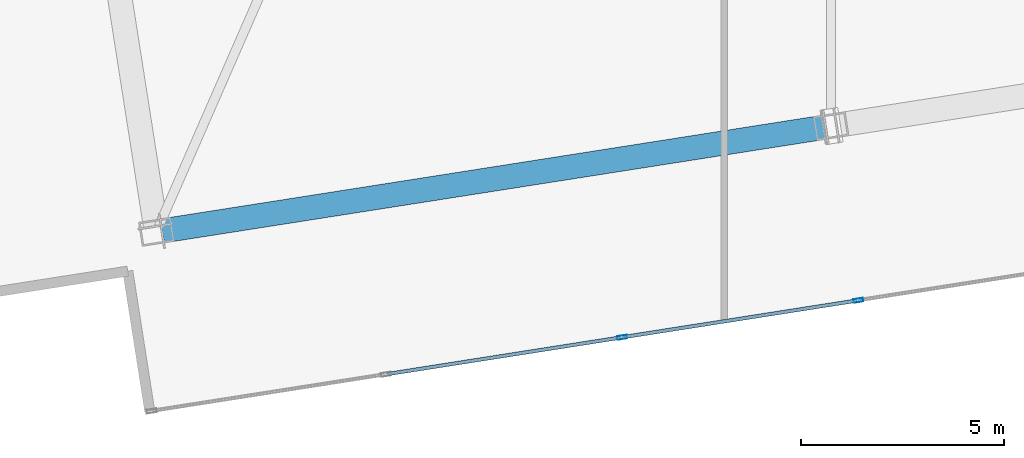
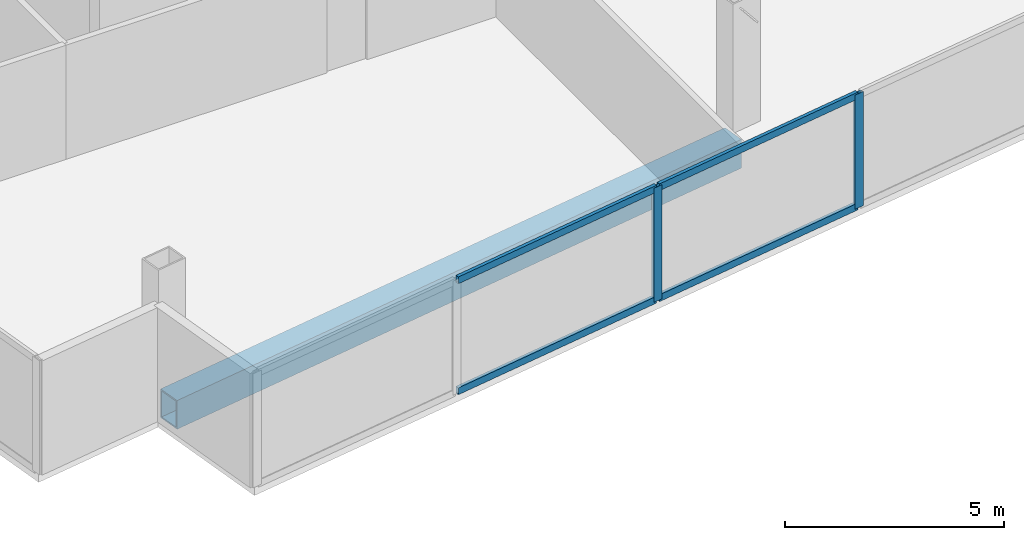
# One storey, part 3 of 17: 6 members, 1 beam, 1 element without a shape of its own.
"""IFC4 building model written with IfcOpenShell, lengths in metres."""

from ifc_helpers import new_model, si_unit, direction, frame, origin, origin_2d, place, context, subcontext, project, spatial, hollow_rectangle, extrude, material, material_profile, profile_set, type_object, element, aggregate, save


model = new_model("IFC4")

# Units and contexts
model_context = context("Model", 3, precision=1e-05, world=origin(), true_north=direction((0.0, 1.0)))
body_context = subcontext(model_context, "Body", "Model", "MODEL_VIEW")
ifc_project = project(units=[si_unit("LENGTHUNIT", "METRE"), si_unit("AREAUNIT", "SQUARE_METRE"), si_unit("VOLUMEUNIT", "CUBIC_METRE"), si_unit("PLANEANGLEUNIT", "RADIAN"), si_unit("MASSUNIT", "GRAM", prefix="KILO")], contexts=[model_context])

# Site, building, storey
site_placement = place(None, origin())
site = spatial("IfcSite", under=ifc_project, at=site_placement, CompositionType="ELEMENT")
building_placement = place(site_placement, origin())
building = spatial("IfcBuilding", under=site, at=building_placement, Name="Haldenkirk Collegiate Tower", CompositionType="ELEMENT")
storey_placement = place(building_placement, frame((0.0, 0.0, 371.39990234375)))
storey = spatial("IfcBuildingStorey", under=building, at=storey_placement, Name="L94", CompositionType="ELEMENT", Elevation=371.39990234375)

# Beam
ifc_material_1 = material(Name="Steel ASTM A572 Grade 50", Category="steel")
ifc_material_profile_1 = material_profile(ifc_material_1, hollow_rectangle(XDim=0.60009765625, YDim=0.800048828125, WallThickness=0.0400390625, at=origin_2d()), Name="BOX800X600X40")
ifc_profile_set_1 = profile_set([ifc_material_profile_1], Name="Steel ASTM A572 Grade 50")
beam_type = type_object("IfcBeamType", Name="BM-SPANDREL-BOX800X600X40", PredefinedType="SPANDREL", material=ifc_profile_set_1)
beam_placement = place(storey_placement, frame((22.138916015625, 6.571533203125, -0.669921875), z_axis=(0.987958818005, 0.154717077036, 0.0), x_axis=(-0.154717077036, 0.987958818005, 0.0)))
element("IfcBeam", 1, at=beam_placement, inside=storey, type_object=beam_type, Name="L94 Crown Ring Frame perimeter girder 7", PredefinedType="SPANDREL", context=body_context, shape_type="SweptSolid", body=[
    extrude(hollow_rectangle(XDim=0.60009765625, YDim=0.800048828125, WallThickness=0.0400390625, at=origin_2d()), origin(), (0.0, 0.0, 1.0), 16.5498046875),
])

# Curtain wall, members
ifc_material_2 = material(Name="Anodised architectural bronze aluminium", Category="aluminium")
curtain_wall_type = type_object("IfcCurtainWallType", Name="CW-SYS6-CROWN", PredefinedType="USERDEFINED", material=ifc_material_2)
curtain_wall_placement = place(storey_placement, origin())
curtain_wall = element("IfcCurtainWall", 2, at=curtain_wall_placement, inside=storey, type_object=curtain_wall_type, Name="L94 Closed crown ring ceramic-fritted bronze screen curtain wall", ObjectType="UNITISED CURTAIN WALL", PredefinedType="USERDEFINED")
ifc_material_profile_2 = material_profile(ifc_material_2, hollow_rectangle(XDim=0.090087890625, YDim=0.239990234375, WallThickness=0.0048828125, at=origin_2d()), Name="CW-MUL-06")
ifc_profile_set_2 = profile_set([ifc_material_profile_2], Name="Anodised architectural bronze aluminium")
member_type_1 = type_object("IfcMemberType", Name="CW-MUL-06", PredefinedType="MULLION", material=ifc_profile_set_2)
member_1_placement = place(storey_placement, frame((39.310791015625, 4.857666015625, 0.0), z_axis=(0.0, 0.0, 1.0), x_axis=(0.154708982189, -0.987960085646, 0.0)))
member_1 = element("IfcMember", 3, at=member_1_placement, type_object=member_type_1, Name="CW-06 mullion 4", PredefinedType="MULLION", context=body_context, shape_type="SweptSolid", body=[
    extrude(hollow_rectangle(XDim=0.090087890625, YDim=0.239990234375, WallThickness=0.0048828125, at=origin_2d()), origin(), (0.0, 0.0, 1.0), 3.18017578125),
])
member_2_placement = place(storey_placement, frame((33.48193359375, 3.94482421875, 0.0), z_axis=(0.0, 0.0, 1.0), x_axis=(0.154708982189, -0.987960085646, 0.0)))
member_2 = element("IfcMember", 4, at=member_2_placement, type_object=member_type_1, Name="CW-06 mullion 5", PredefinedType="MULLION", context=body_context, shape_type="SweptSolid", body=[
    extrude(hollow_rectangle(XDim=0.090087890625, YDim=0.239990234375, WallThickness=0.0048828125, at=origin_2d()), origin(), (0.0, 0.0, 1.0), 3.18017578125),
])
ifc_material_profile_3 = material_profile(ifc_material_2, hollow_rectangle(XDim=0.090087890625, YDim=0.18994140625, WallThickness=0.0048828125, at=origin_2d()), Name="CW-TRN-06")
ifc_profile_set_3 = profile_set([ifc_material_profile_3], Name="Anodised architectural bronze aluminium")
member_type_2 = type_object("IfcMemberType", Name="CW-TRN-06", PredefinedType="USERDEFINED", material=ifc_profile_set_3)
member_3_placement = place(storey_placement, frame((39.266357421875, 4.8505859375, 0.045166015625), z_axis=(-0.987964517712, -0.154680676692, 0.0), x_axis=(0.154680676692, -0.987964517712, 0.0)))
member_3 = element("IfcMember", 5, at=member_3_placement, type_object=member_type_2, Name="CW-06 transom 4.1", ObjectType="TRANSOM", PredefinedType="USERDEFINED", context=body_context, shape_type="SweptSolid", body=[
    extrude(hollow_rectangle(XDim=0.090087890625, YDim=0.18994140625, WallThickness=0.0048828125, at=origin_2d()), origin(), (0.0, 0.0, 1.0), 5.809814453125),
])
member_4_placement = place(storey_placement, frame((39.266357421875, 4.8505859375, 3.135009765625), z_axis=(-0.987964517712, -0.154680676692, 0.0), x_axis=(0.154680676692, -0.987964517712, 0.0)))
member_4 = element("IfcMember", 6, at=member_4_placement, type_object=member_type_2, Name="CW-06 transom 4.2", ObjectType="TRANSOM", PredefinedType="USERDEFINED", context=body_context, shape_type="SweptSolid", body=[
    extrude(hollow_rectangle(XDim=0.090087890625, YDim=0.18994140625, WallThickness=0.0048828125, at=origin_2d()), origin(), (0.0, 0.0, 1.0), 5.809814453125),
])
member_5_placement = place(storey_placement, frame((33.437255859375, 3.93798828125, 0.045166015625), z_axis=(-0.987958095237, -0.154721692257, 0.0), x_axis=(0.154721692257, -0.987958095237, 0.0)))
member_5 = element("IfcMember", 7, at=member_5_placement, type_object=member_type_2, Name="CW-06 transom 5.1", ObjectType="TRANSOM", PredefinedType="USERDEFINED", context=body_context, shape_type="SweptSolid", body=[
    extrude(hollow_rectangle(XDim=0.090087890625, YDim=0.18994140625, WallThickness=0.0048828125, at=origin_2d()), origin(), (0.0, 0.0, 1.0), 5.81005859375),
])
member_6_placement = place(storey_placement, frame((33.437255859375, 3.93798828125, 3.135009765625), z_axis=(-0.987958095237, -0.154721692257, 0.0), x_axis=(0.154721692257, -0.987958095237, 0.0)))
member_6 = element("IfcMember", 8, at=member_6_placement, type_object=member_type_2, Name="CW-06 transom 5.2", ObjectType="TRANSOM", PredefinedType="USERDEFINED", context=body_context, shape_type="SweptSolid", body=[
    extrude(hollow_rectangle(XDim=0.090087890625, YDim=0.18994140625, WallThickness=0.0048828125, at=origin_2d()), origin(), (0.0, 0.0, 1.0), 5.81005859375),
])
aggregate(curtain_wall, [member_1, member_2, member_3, member_4, member_5, member_6])

save(model, "model.ifc")
